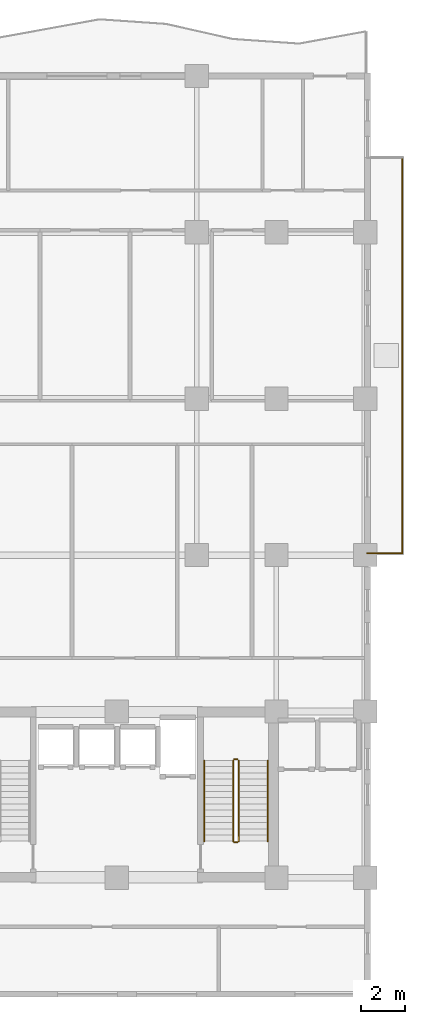
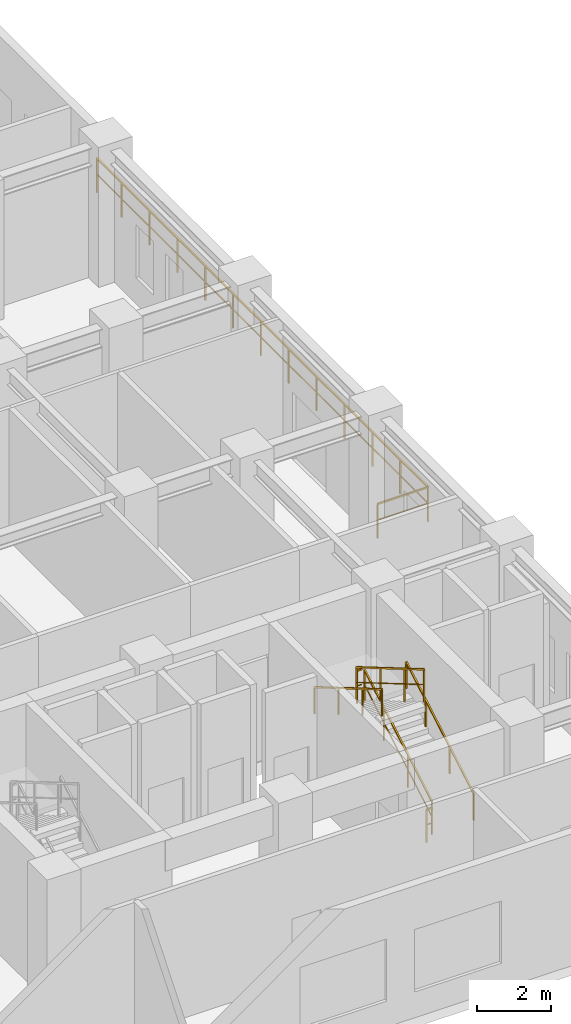
# One storey, part 12 of 14: 8 railings.
"""IFC4 building model written with IfcOpenShell, lengths in metres."""

from ifc_helpers import new_model, si_unit, direction, frame, origin, origin_2d, place, context, subcontext, project, spatial, rectangle, extrude, material, type_object, element, save


model = new_model("IFC4")

# Units and contexts
model_context = context("Model", 3, precision=1e-05, world=origin(), true_north=direction((0.0, 1.0)))
body_context = subcontext(model_context, "Body", "Model", "MODEL_VIEW")
ifc_project = project(units=[si_unit("LENGTHUNIT", "METRE"), si_unit("AREAUNIT", "SQUARE_METRE"), si_unit("VOLUMEUNIT", "CUBIC_METRE"), si_unit("PLANEANGLEUNIT", "RADIAN"), si_unit("MASSUNIT", "GRAM", prefix="KILO")], contexts=[model_context])

# Site, building, storey
site_placement = place(None, origin())
site = spatial("IfcSite", under=ifc_project, at=site_placement, CompositionType="ELEMENT")
building_placement = place(site_placement, origin())
building = spatial("IfcBuilding", under=site, at=building_placement, Name="Kaliganga Portal Commons", CompositionType="ELEMENT")
storey_placement = place(building_placement, frame((0.0, 0.0, 135.60009765625)))
storey = spatial("IfcBuildingStorey", under=building, at=storey_placement, Name="L34", CompositionType="ELEMENT", Elevation=135.60009765625)

# Railings
ifc_material_1 = material(Name="Laminated Safety Glass and Stainless Steel 316", Category="steel")
railing_type_1 = type_object("IfcRailingType", Name="RLG-BAL-1150", PredefinedType="BALUSTRADE", material=ifc_material_1)
railing_1_placement = place(storey_placement, frame((54.5, 21.679931640625, 0.0)))
element("IfcRailing", 1, at=railing_1_placement, inside=storey, type_object=railing_type_1, Name="Terrace Guardrail L34 skygarden_l34-01-1", PredefinedType="BALUSTRADE", context=body_context, shape_type="SweptSolid", body=[
    extrude(rectangle(XDim=0.048095703125, YDim=0.048095703125, at=origin_2d()), frame((0.0, 0.0, 1.1259765625), z_axis=(1.0, 0.0, 0.0), x_axis=(0.0, 1.0, 0.0)), (0.0, 0.0, 1.0), 1.570068359375),
    extrude(rectangle(XDim=0.028076171875, YDim=0.028076171875, at=origin_2d()), frame((0.0, 0.0, 0.597900390625), z_axis=(1.0, 0.0, 0.0), x_axis=(0.0, 1.0, 0.0)), (0.0, 0.0, 1.0), 1.570068359375),
    extrude(rectangle(XDim=0.0419921875, YDim=0.0419921875, at=origin_2d()), origin(), (0.0, 0.0, 1.0), 1.101806640625),
    extrude(rectangle(XDim=0.0419921875, YDim=0.0419921875, at=origin_2d()), frame((1.570068359375, 0.0, 0.0)), (0.0, 0.0, 1.0), 1.101806640625),
])
railing_2_placement = place(storey_placement, frame((56.070068359375, 21.679931640625, 0.0)))
element("IfcRailing", 2, at=railing_2_placement, inside=storey, type_object=railing_type_1, Name="Terrace Guardrail L34 skygarden_l34-02-1", PredefinedType="BALUSTRADE", context=body_context, shape_type="SweptSolid", body=[
    extrude(rectangle(XDim=0.048095703125, YDim=0.048095703125, at=origin_2d()), frame((0.0, 0.0, 1.1259765625), z_axis=(0.0, 1.0, 0.0), x_axis=(-1.0, 0.0, 0.0)), (0.0, 0.0, 1.0), 17.840087890625),
    extrude(rectangle(XDim=0.028076171875, YDim=0.028076171875, at=origin_2d()), frame((0.0, 0.0, 0.597900390625), z_axis=(0.0, 1.0, 0.0), x_axis=(-1.0, 0.0, 0.0)), (0.0, 0.0, 1.0), 17.840087890625),
    extrude(rectangle(XDim=0.0419921875, YDim=0.0419921875, at=origin_2d()), origin(), (0.0, 0.0, 1.0), 1.101806640625),
    extrude(rectangle(XDim=0.0419921875, YDim=0.0419921875, at=origin_2d()), frame((0.0, 1.5, 0.0)), (0.0, 0.0, 1.0), 1.101806640625),
    extrude(rectangle(XDim=0.0419921875, YDim=0.0419921875, at=origin_2d()), frame((0.0, 3.0, 0.0)), (0.0, 0.0, 1.0), 1.101806640625),
    extrude(rectangle(XDim=0.0419921875, YDim=0.0419921875, at=origin_2d()), frame((0.0, 4.5, 0.0)), (0.0, 0.0, 1.0), 1.101806640625),
    extrude(rectangle(XDim=0.0419921875, YDim=0.0419921875, at=origin_2d()), frame((0.0, 6.0, 0.0)), (0.0, 0.0, 1.0), 1.101806640625),
    extrude(rectangle(XDim=0.0419921875, YDim=0.0419921875, at=origin_2d()), frame((0.0, 7.5, 0.0)), (0.0, 0.0, 1.0), 1.101806640625),
    extrude(rectangle(XDim=0.0419921875, YDim=0.0419921875, at=origin_2d()), frame((0.0, 9.0, 0.0)), (0.0, 0.0, 1.0), 1.101806640625),
    extrude(rectangle(XDim=0.0419921875, YDim=0.0419921875, at=origin_2d()), frame((0.0, 10.5, 0.0)), (0.0, 0.0, 1.0), 1.101806640625),
    extrude(rectangle(XDim=0.0419921875, YDim=0.0419921875, at=origin_2d()), frame((0.0, 12.0, 0.0)), (0.0, 0.0, 1.0), 1.101806640625),
    extrude(rectangle(XDim=0.0419921875, YDim=0.0419921875, at=origin_2d()), frame((0.0, 13.5, 0.0)), (0.0, 0.0, 1.0), 1.101806640625),
    extrude(rectangle(XDim=0.0419921875, YDim=0.0419921875, at=origin_2d()), frame((0.0, 15.0, 0.0)), (0.0, 0.0, 1.0), 1.101806640625),
    extrude(rectangle(XDim=0.0419921875, YDim=0.0419921875, at=origin_2d()), frame((0.0, 16.5, 0.0)), (0.0, 0.0, 1.0), 1.101806640625),
    extrude(rectangle(XDim=0.0419921875, YDim=0.0419921875, at=origin_2d()), frame((0.0, 17.840087890625, 0.0)), (0.0, 0.0, 1.0), 1.101806640625),
])
ifc_material_2 = material(Name="Galvanized Painted Steel Balustrade", Category="steel")
railing_type_2 = type_object("IfcRailingType", Name="RLG-STAIR-GRD", PredefinedType="GUARDRAIL", material=ifc_material_2)
railing_3_placement = place(storey_placement, frame((48.699951171875, 8.699951171875, 0.164306640625)))
element("IfcRailing", 3, at=railing_3_placement, inside=storey, type_object=railing_type_2, Name="L34 ST-B2 stair guard 1", PredefinedType="GUARDRAIL", context=body_context, shape_type="SweptSolid", body=[
    extrude(rectangle(XDim=0.048095703125, YDim=0.048095703125, at=origin_2d()), frame((0.0, 0.0, 1.072265625), z_axis=(0.0, 0.862529955373, 0.506006004), x_axis=(-1.0, 0.0, 0.0)), (0.0, 0.0, 1.0), 4.22021484375),
    extrude(rectangle(XDim=0.028076171875, YDim=0.028076171875, at=origin_2d()), frame((0.0, 0.0, 0.572021484375), z_axis=(0.0, 0.862529955373, 0.506006004), x_axis=(-1.0, 0.0, 0.0)), (0.0, 0.0, 1.0), 4.22021484375),
    extrude(rectangle(XDim=0.0419921875, YDim=0.0419921875, at=origin_2d()), origin(), (0.0, 0.0, 1.0), 1.052001953125),
    extrude(rectangle(XDim=0.0419921875, YDim=0.0419921875, at=origin_2d()), frame((0.0, 1.293701171875, 0.759033203125)), (0.0, 0.0, 1.0), 1.052001953125),
    extrude(rectangle(XDim=0.0419921875, YDim=0.0419921875, at=origin_2d()), frame((0.0, 2.587646484375, 1.51806640625)), (0.0, 0.0, 1.0), 1.052001953125),
    extrude(rectangle(XDim=0.0419921875, YDim=0.0419921875, at=origin_2d()), frame((0.0, 3.64013671875, 2.135498046875)), (0.0, 0.0, 1.0), 1.052001953125),
])
railing_4_placement = place(storey_placement, frame((48.64990234375, 12.389892578125, 2.2998046875)))
element("IfcRailing", 4, at=railing_4_placement, inside=storey, type_object=railing_type_2, Name="L34 ST-B2 stair guard 2", PredefinedType="GUARDRAIL", context=body_context, shape_type="SweptSolid", body=[
    extrude(rectangle(XDim=0.048095703125, YDim=0.048095703125, at=origin_2d()), frame((0.0, 0.0, 1.076171875), z_axis=(-1.0, 0.0, 0.0), x_axis=(0.0, -1.0, 0.0)), (0.0, 0.0, 1.0), 0.14990234375),
    extrude(rectangle(XDim=0.028076171875, YDim=0.028076171875, at=origin_2d()), frame((0.0, 0.0, 0.572021484375), z_axis=(-1.0, 0.0, 0.0), x_axis=(0.0, -1.0, 0.0)), (0.0, 0.0, 1.0), 0.14990234375),
    extrude(rectangle(XDim=0.0419921875, YDim=0.0419921875, at=origin_2d()), frame((-0.14990234375, 0.0, 0.0)), (0.0, 0.0, 1.0), 1.052001953125),
])
railing_5_placement = place(storey_placement, frame((48.449951171875, 12.340087890625, 2.464111328125)))
element("IfcRailing", 5, at=railing_5_placement, inside=storey, type_object=railing_type_2, Name="L34 ST-B2 stair guard 3", PredefinedType="GUARDRAIL", context=body_context, shape_type="SweptSolid", body=[
    extrude(rectangle(XDim=0.048095703125, YDim=0.048095703125, at=origin_2d()), frame((0.0, 0.0, 1.072265625), z_axis=(0.0, -0.862504707072, 0.506049039401), x_axis=(1.0, 0.0, 0.0)), (0.0, 0.0, 1.0), 4.220458984375),
    extrude(rectangle(XDim=0.028076171875, YDim=0.028076171875, at=origin_2d()), frame((0.0, 0.0, 0.572021484375), z_axis=(0.0, -0.862504707072, 0.506049039401), x_axis=(1.0, 0.0, 0.0)), (0.0, 0.0, 1.0), 4.220458984375),
    extrude(rectangle(XDim=0.0419921875, YDim=0.0419921875, at=origin_2d()), origin(), (0.0, 0.0, 1.0), 1.052001953125),
    extrude(rectangle(XDim=0.0419921875, YDim=0.0419921875, at=origin_2d()), frame((0.0, -1.293701171875, 0.759033203125)), (0.0, 0.0, 1.0), 1.052001953125),
    extrude(rectangle(XDim=0.0419921875, YDim=0.0419921875, at=origin_2d()), frame((0.0, -2.58740234375, 1.51806640625)), (0.0, 0.0, 1.0), 1.052001953125),
    extrude(rectangle(XDim=0.0419921875, YDim=0.0419921875, at=origin_2d()), frame((0.0, -3.64013671875, 2.1357421875)), (0.0, 0.0, 1.0), 1.052001953125),
])
railing_6_placement = place(storey_placement, frame((48.64990234375, 8.64990234375, 0.0)))
element("IfcRailing", 6, at=railing_6_placement, inside=storey, type_object=railing_type_2, Name="L34 ST-B2 stair guard 4", PredefinedType="GUARDRAIL", context=body_context, shape_type="SweptSolid", body=[
    extrude(rectangle(XDim=0.048095703125, YDim=0.048095703125, at=origin_2d()), frame((0.0, 0.0, 1.076171875), z_axis=(-1.0, 0.0, 0.0), x_axis=(0.0, -1.0, 0.0)), (0.0, 0.0, 1.0), 0.14990234375),
    extrude(rectangle(XDim=0.028076171875, YDim=0.028076171875, at=origin_2d()), frame((0.0, 0.0, 0.572021484375), z_axis=(-1.0, 0.0, 0.0), x_axis=(0.0, -1.0, 0.0)), (0.0, 0.0, 1.0), 0.14990234375),
    extrude(rectangle(XDim=0.0419921875, YDim=0.0419921875, at=origin_2d()), frame((-0.14990234375, 0.0, 0.0)), (0.0, 0.0, 1.0), 1.052001953125),
])
ifc_material_3 = material(Name="Brushed Stainless Steel 316", Category="steel")
railing_type_3 = type_object("IfcRailingType", Name="RLG-STAIR-HR", PredefinedType="HANDRAIL", material=ifc_material_3)
railing_7_placement = place(storey_placement, frame((50.0, 8.699951171875, 0.164306640625)))
element("IfcRailing", 7, at=railing_7_placement, inside=storey, type_object=railing_type_3, Name="L34 ST-B2 stair handrail 1", PredefinedType="HANDRAIL", context=body_context, shape_type="SweptSolid", body=[
    extrude(rectangle(XDim=0.048095703125, YDim=0.048095703125, at=origin_2d()), frame((0.0, 0.0, 0.8720703125), z_axis=(0.0, 0.862529955373, 0.506006004), x_axis=(-1.0, 0.0, 0.0)), (0.0, 0.0, 1.0), 4.22021484375),
    extrude(rectangle(XDim=0.0419921875, YDim=0.0419921875, at=origin_2d()), origin(), (0.0, 0.0, 1.0), 0.851806640625),
    extrude(rectangle(XDim=0.0419921875, YDim=0.0419921875, at=origin_2d()), frame((0.0, 1.293701171875, 0.759033203125)), (0.0, 0.0, 1.0), 0.851806640625),
    extrude(rectangle(XDim=0.0419921875, YDim=0.0419921875, at=origin_2d()), frame((0.0, 2.587646484375, 1.51806640625)), (0.0, 0.0, 1.0), 0.851806640625),
    extrude(rectangle(XDim=0.0419921875, YDim=0.0419921875, at=origin_2d()), frame((0.0, 3.64013671875, 2.135498046875)), (0.0, 0.0, 1.0), 0.851806640625),
])
railing_8_placement = place(storey_placement, frame((47.14990234375, 12.340087890625, 2.464111328125)))
element("IfcRailing", 8, at=railing_8_placement, inside=storey, type_object=railing_type_3, Name="L34 ST-B2 stair handrail 2", PredefinedType="HANDRAIL", context=body_context, shape_type="SweptSolid", body=[
    extrude(rectangle(XDim=0.048095703125, YDim=0.048095703125, at=origin_2d()), frame((0.0, 0.0, 0.8720703125), z_axis=(0.0, -0.862504707072, 0.506049039401), x_axis=(1.0, 0.0, 0.0)), (0.0, 0.0, 1.0), 4.220458984375),
    extrude(rectangle(XDim=0.0419921875, YDim=0.0419921875, at=origin_2d()), origin(), (0.0, 0.0, 1.0), 0.851806640625),
    extrude(rectangle(XDim=0.0419921875, YDim=0.0419921875, at=origin_2d()), frame((0.0, -1.293701171875, 0.759033203125)), (0.0, 0.0, 1.0), 0.851806640625),
    extrude(rectangle(XDim=0.0419921875, YDim=0.0419921875, at=origin_2d()), frame((0.0, -2.58740234375, 1.51806640625)), (0.0, 0.0, 1.0), 0.851806640625),
    extrude(rectangle(XDim=0.0419921875, YDim=0.0419921875, at=origin_2d()), frame((0.0, -3.64013671875, 2.1357421875)), (0.0, 0.0, 1.0), 0.851806640625),
])

save(model, "model.ifc")
